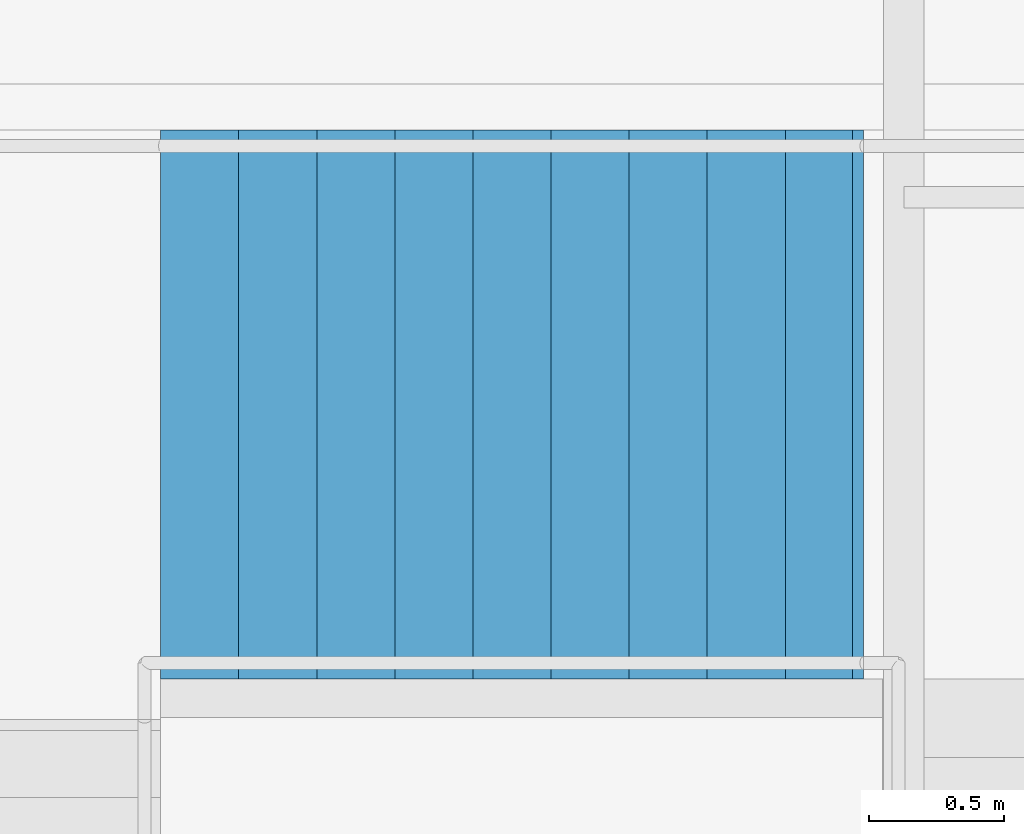
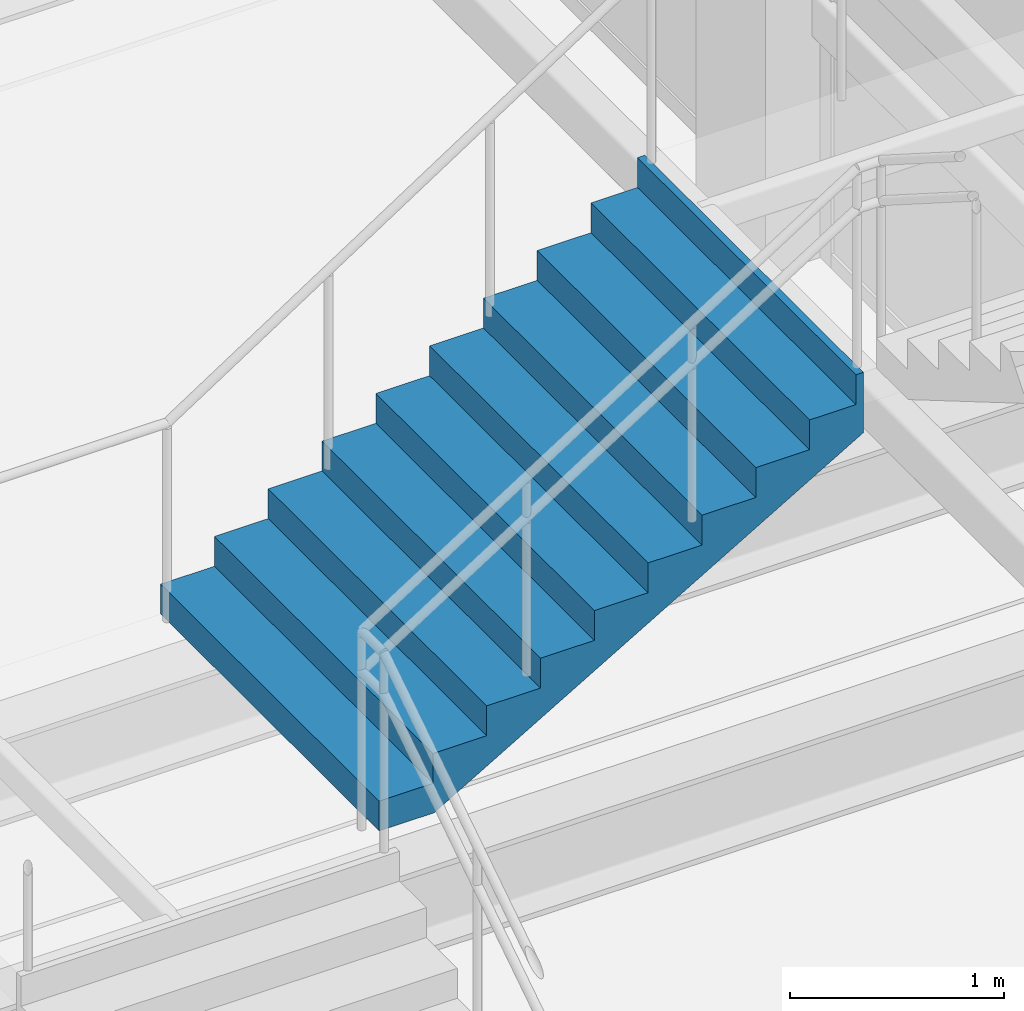
# One storey, part 59 of 66: 1 stair flight, 1 element without a shape of its own.
"""IFC4 building model written with IfcOpenShell, lengths in metres."""

from ifc_helpers import new_model, si_unit, direction, frame, origin, place, context, subcontext, project, spatial, triangles, material, type_object, element, aggregate, save


model = new_model("IFC4")

# Units and contexts
model_context = context("Model", 3, precision=1e-05, world=origin(), true_north=direction((0.0, 1.0)))
body_context = subcontext(model_context, "Body", "Model", "MODEL_VIEW")
ifc_project = project(units=[si_unit("LENGTHUNIT", "METRE"), si_unit("AREAUNIT", "SQUARE_METRE"), si_unit("VOLUMEUNIT", "CUBIC_METRE"), si_unit("PLANEANGLEUNIT", "RADIAN"), si_unit("MASSUNIT", "GRAM", prefix="KILO")], contexts=[model_context])

# Site, building, storey
site_placement = place(None, origin())
site = spatial("IfcSite", under=ifc_project, at=site_placement, CompositionType="ELEMENT")
building_placement = place(site_placement, origin())
building = spatial("IfcBuilding", under=site, at=building_placement, Name="Sillaruma Civic Art Gallery", CompositionType="ELEMENT")
storey_placement = place(building_placement, frame((0.0, 0.0, 57.1201171875)))
storey = spatial("IfcBuildingStorey", under=building, at=storey_placement, Name="L11", CompositionType="ELEMENT", Elevation=57.1201171875)

# Stair, stair flight
ifc_material = material(Name="Concrete H35 (35 MPa)", Category="concrete")
stair_type = type_object("IfcStairType", Name="STR-3F-30", PredefinedType="TWO_QUARTER_TURN_STAIR", material=ifc_material)
stair_placement = place(storey_placement, origin())
stair = element("IfcStair", 1, at=stair_placement, inside=storey, type_object=stair_type, Name="Monumental Gallery Feature Stair ST-G07 (L11)", PredefinedType="TWO_QUARTER_TURN_STAIR")
stair_flight_type = type_object("IfcStairFlightType", Name="SFL-STR-10", PredefinedType="STRAIGHT", material=ifc_material)
stair_flight_placement = place(storey_placement, frame((86.639892578125, 54.97998046875, 1.699951171875), z_axis=(0.0, 0.0, 1.0), x_axis=(1.0, 0.0, 0.0)))
stair_flight = element("IfcStairFlight", 2, at=stair_flight_placement, type_object=stair_flight_type, Name="ST-G07 flight 2", NumberOfRisers=10, NumberOfTreads=9, PredefinedType="STRAIGHT", RiserHeight=0.17, TreadLength=0.29, context=body_context, shape_type="Tessellation", body=[
    triangles([(0.0, -1.02001953125, 0.0), (0.29, -1.02001953125, 0.0), (0.296521, -1.02001953125, 0.0), (0.58, -1.02001953125, 0.166177), (0.87, -1.02001953125, 0.336177), (1.16, -1.02001953125, 0.506177), (1.45, -1.02001953125, 0.676177), (1.74, -1.02001953125, 0.846177), (2.03, -1.02001953125, 1.016177), (2.32, -1.02001953125, 1.186177), (2.570107, -1.02001953125, 1.332792), (2.610107, -1.02001953125, 1.35624), (2.610107, -1.02001953125, 1.7), (2.570107, -1.02001953125, 1.7), (2.570107, -1.02001953125, 1.53), (2.32, -1.02001953125, 1.53), (2.32, -1.02001953125, 1.36), (2.03, -1.02001953125, 1.36), (2.03, -1.02001953125, 1.19), (1.74, -1.02001953125, 1.19), (1.74, -1.02001953125, 1.02), (1.45, -1.02001953125, 1.02), (1.45, -1.02001953125, 0.85), (1.16, -1.02001953125, 0.85), (1.16, -1.02001953125, 0.68), (0.87, -1.02001953125, 0.68), (0.87, -1.02001953125, 0.51), (0.58, -1.02001953125, 0.51), (0.58, -1.02001953125, 0.34), (0.296521, -1.02001953125, 0.34), (0.29, -1.02001953125, 0.34), (0.29, -1.02001953125, 0.17), (0.0, -1.02001953125, 0.17), (0.0, -0.05, 0.0), (0.29, -0.05, 0.0), (0.296521, -0.05, 0.0), (0.58, -0.05, 0.166177), (0.87, -0.05, 0.336177), (1.16, -0.05, 0.506177), (1.45, -0.05, 0.676177), (1.74, -0.05, 0.846177), (2.03, -0.05, 1.016177), (2.32, -0.05, 1.186177), (2.570107, -0.05, 1.332792), (2.610107, -0.05, 1.35624), (2.610107, -0.05, 1.7), (2.570107, -0.05, 1.7), (2.570107, -0.05, 1.53), (2.32, -0.05, 1.53), (2.32, -0.05, 1.36), (2.03, -0.05, 1.36), (2.03, -0.05, 1.19), (1.74, -0.05, 1.19), (1.74, -0.05, 1.02), (1.45, -0.05, 1.02), (1.45, -0.05, 0.85), (1.16, -0.05, 0.85), (1.16, -0.05, 0.68), (0.87, -0.05, 0.68), (0.87, -0.05, 0.51), (0.58, -0.05, 0.51), (0.58, -0.05, 0.34), (0.296521, -0.05, 0.34), (0.29, -0.05, 0.34), (0.29, -0.05, 0.17), (0.0, -0.05, 0.17), (0.0, -0.0375, 0.0), (0.29, -0.0375, 0.0), (0.296521, -0.0375, 0.0), (0.58, -0.0375, 0.166177), (0.87, -0.0375, 0.336177), (1.16, -0.0375, 0.506177), (1.45, -0.0375, 0.676177), (1.74, -0.0375, 0.846177), (2.03, -0.0375, 1.016177), (2.32, -0.0375, 1.186177), (2.570107, -0.0375, 1.332792), (2.610107, -0.0375, 1.35624), (2.610107, -0.0375, 1.7), (2.570107, -0.0375, 1.7), (2.570107, -0.0375, 1.53), (2.32, -0.0375, 1.53), (2.32, -0.0375, 1.36), (2.03, -0.0375, 1.36), (2.03, -0.0375, 1.19), (1.74, -0.0375, 1.19), (1.74, -0.0375, 1.02), (1.45, -0.0375, 1.02), (1.45, -0.0375, 0.85), (1.16, -0.0375, 0.85), (1.16, -0.0375, 0.68), (0.87, -0.0375, 0.68), (0.87, -0.0375, 0.51), (0.58, -0.0375, 0.51), (0.58, -0.0375, 0.34), (0.296521, -0.0375, 0.34), (0.29, -0.0375, 0.34), (0.29, -0.0375, 0.17), (0.0, -0.0375, 0.17), (0.0, -0.025, 0.0), (0.29, -0.025, 0.0), (0.296521, -0.025, 0.0), (0.58, -0.025, 0.166177), (0.87, -0.025, 0.336177), (1.16, -0.025, 0.506177), (1.45, -0.025, 0.676177), (1.74, -0.025, 0.846177), (2.03, -0.025, 1.016177), (2.32, -0.025, 1.186177), (2.570107, -0.025, 1.332792), (2.610107, -0.025, 1.35624), (2.610107, -0.025, 1.7), (2.570107, -0.025, 1.7), (2.570107, -0.025, 1.53), (2.32, -0.025, 1.53), (2.32, -0.025, 1.36), (2.03, -0.025, 1.36), (2.03, -0.025, 1.19), (1.74, -0.025, 1.19), (1.74, -0.025, 1.02), (1.45, -0.025, 1.02), (1.45, -0.025, 0.85), (1.16, -0.025, 0.85), (1.16, -0.025, 0.68), (0.87, -0.025, 0.68), (0.87, -0.025, 0.51), (0.58, -0.025, 0.51), (0.58, -0.025, 0.34), (0.296521, -0.025, 0.34), (0.29, -0.025, 0.34), (0.29, -0.025, 0.17), (0.0, -0.025, 0.17), (0.0, -0.0125, 0.0), (0.29, -0.0125, 0.0), (0.296521, -0.0125, 0.0), (0.58, -0.0125, 0.166177), (0.87, -0.0125, 0.336177), (1.16, -0.0125, 0.506177), (1.45, -0.0125, 0.676177), (1.74, -0.0125, 0.846177), (2.03, -0.0125, 1.016177), (2.32, -0.0125, 1.186177), (2.570107, -0.0125, 1.332792), (2.610107, -0.0125, 1.35624), (2.610107, -0.0125, 1.7), (2.570107, -0.0125, 1.7), (2.570107, -0.0125, 1.53), (2.32, -0.0125, 1.53), (2.32, -0.0125, 1.36), (2.03, -0.0125, 1.36), (2.03, -0.0125, 1.19), (1.74, -0.0125, 1.19), (1.74, -0.0125, 1.02), (1.45, -0.0125, 1.02), (1.45, -0.0125, 0.85), (1.16, -0.0125, 0.85), (1.16, -0.0125, 0.68), (0.87, -0.0125, 0.68), (0.87, -0.0125, 0.51), (0.58, -0.0125, 0.51), (0.58, -0.0125, 0.34), (0.296521, -0.0125, 0.34), (0.29, -0.0125, 0.34), (0.29, -0.0125, 0.17), (0.0, -0.0125, 0.17), (0.0, 0.0, 0.0), (0.29, 0.0, 0.0), (0.296521, 0.0, 0.0), (0.58, 0.0, 0.166177), (0.87, 0.0, 0.336177), (1.16, 0.0, 0.506177), (1.45, 0.0, 0.676177), (1.74, 0.0, 0.846177), (2.03, 0.0, 1.016177), (2.32, 0.0, 1.186177), (2.570107, 0.0, 1.332792), (2.610107, 0.0, 1.35624), (2.610107, 0.0, 1.7), (2.570107, 0.0, 1.7), (2.570107, 0.0, 1.53), (2.32, 0.0, 1.53), (2.32, 0.0, 1.36), (2.03, 0.0, 1.36), (2.03, 0.0, 1.19), (1.74, 0.0, 1.19), (1.74, 0.0, 1.02), (1.45, 0.0, 1.02), (1.45, 0.0, 0.85), (1.16, 0.0, 0.85), (1.16, 0.0, 0.68), (0.87, 0.0, 0.68), (0.87, 0.0, 0.51), (0.58, 0.0, 0.51), (0.58, 0.0, 0.34), (0.296521, 0.0, 0.34), (0.29, 0.0, 0.34), (0.29, 0.0, 0.17), (0.0, 0.0, 0.17), (0.0, 0.0125, 0.0), (0.29, 0.0125, 0.0), (0.296521, 0.0125, 0.0), (0.58, 0.0125, 0.166177), (0.87, 0.0125, 0.336177), (1.16, 0.0125, 0.506177), (1.45, 0.0125, 0.676177), (1.74, 0.0125, 0.846177), (2.03, 0.0125, 1.016177), (2.32, 0.0125, 1.186177), (2.570107, 0.0125, 1.332792), (2.610107, 0.0125, 1.35624), (2.610107, 0.0125, 1.7), (2.570107, 0.0125, 1.7), (2.570107, 0.0125, 1.53), (2.32, 0.0125, 1.53), (2.32, 0.0125, 1.36), (2.03, 0.0125, 1.36), (2.03, 0.0125, 1.19), (1.74, 0.0125, 1.19), (1.74, 0.0125, 1.02), (1.45, 0.0125, 1.02), (1.45, 0.0125, 0.85), (1.16, 0.0125, 0.85), (1.16, 0.0125, 0.68), (0.87, 0.0125, 0.68), (0.87, 0.0125, 0.51), (0.58, 0.0125, 0.51), (0.58, 0.0125, 0.34), (0.296521, 0.0125, 0.34), (0.29, 0.0125, 0.34), (0.29, 0.0125, 0.17), (0.0, 0.0125, 0.17), (0.0, 0.025, 0.0), (0.29, 0.025, 0.0), (0.296521, 0.025, 0.0), (0.58, 0.025, 0.166177), (0.87, 0.025, 0.336177), (1.16, 0.025, 0.506177), (1.45, 0.025, 0.676177), (1.74, 0.025, 0.846177), (2.03, 0.025, 1.016177), (2.32, 0.025, 1.186177), (2.570107, 0.025, 1.332792), (2.610107, 0.025, 1.35624), (2.610107, 0.025, 1.7), (2.570107, 0.025, 1.7), (2.570107, 0.025, 1.53), (2.32, 0.025, 1.53), (2.32, 0.025, 1.36), (2.03, 0.025, 1.36), (2.03, 0.025, 1.19), (1.74, 0.025, 1.19), (1.74, 0.025, 1.02), (1.45, 0.025, 1.02), (1.45, 0.025, 0.85), (1.16, 0.025, 0.85), (1.16, 0.025, 0.68), (0.87, 0.025, 0.68), (0.87, 0.025, 0.51), (0.58, 0.025, 0.51), (0.58, 0.025, 0.34), (0.296521, 0.025, 0.34), (0.29, 0.025, 0.34), (0.29, 0.025, 0.17), (0.0, 0.025, 0.17), (0.0, 0.0375, 0.0), (0.29, 0.0375, 0.0), (0.296521, 0.0375, 0.0), (0.58, 0.0375, 0.166177), (0.87, 0.0375, 0.336177), (1.16, 0.0375, 0.506177), (1.45, 0.0375, 0.676177), (1.74, 0.0375, 0.846177), (2.03, 0.0375, 1.016177), (2.32, 0.0375, 1.186177), (2.570107, 0.0375, 1.332792), (2.610107, 0.0375, 1.35624), (2.610107, 0.0375, 1.7), (2.570107, 0.0375, 1.7), (2.570107, 0.0375, 1.53), (2.32, 0.0375, 1.53), (2.32, 0.0375, 1.36), (2.03, 0.0375, 1.36), (2.03, 0.0375, 1.19), (1.74, 0.0375, 1.19), (1.74, 0.0375, 1.02), (1.45, 0.0375, 1.02), (1.45, 0.0375, 0.85), (1.16, 0.0375, 0.85), (1.16, 0.0375, 0.68), (0.87, 0.0375, 0.68), (0.87, 0.0375, 0.51), (0.58, 0.0375, 0.51), (0.58, 0.0375, 0.34), (0.296521, 0.0375, 0.34), (0.29, 0.0375, 0.34), (0.29, 0.0375, 0.17), (0.0, 0.0375, 0.17), (0.0, 0.05, 0.0), (0.29, 0.05, 0.0), (0.296521, 0.05, 0.0), (0.58, 0.05, 0.166177), (0.87, 0.05, 0.336177), (1.16, 0.05, 0.506177), (1.45, 0.05, 0.676177), (1.74, 0.05, 0.846177), (2.03, 0.05, 1.016177), (2.32, 0.05, 1.186177), (2.570107, 0.05, 1.332792), (2.610107, 0.05, 1.35624), (2.610107, 0.05, 1.7), (2.570107, 0.05, 1.7), (2.570107, 0.05, 1.53), (2.32, 0.05, 1.53), (2.32, 0.05, 1.36), (2.03, 0.05, 1.36), (2.03, 0.05, 1.19), (1.74, 0.05, 1.19), (1.74, 0.05, 1.02), (1.45, 0.05, 1.02), (1.45, 0.05, 0.85), (1.16, 0.05, 0.85), (1.16, 0.05, 0.68), (0.87, 0.05, 0.68), (0.87, 0.05, 0.51), (0.58, 0.05, 0.51), (0.58, 0.05, 0.34), (0.296521, 0.05, 0.34), (0.29, 0.05, 0.34), (0.29, 0.05, 0.17), (0.0, 0.05, 0.17), (0.0, 1.02001953125, 0.0), (0.29, 1.02001953125, 0.0), (0.296521, 1.02001953125, 0.0), (0.58, 1.02001953125, 0.166177), (0.87, 1.02001953125, 0.336177), (1.16, 1.02001953125, 0.506177), (1.45, 1.02001953125, 0.676177), (1.74, 1.02001953125, 0.846177), (2.03, 1.02001953125, 1.016177), (2.32, 1.02001953125, 1.186177), (2.570107, 1.02001953125, 1.332792), (2.610107, 1.02001953125, 1.35624), (2.610107, 1.02001953125, 1.7), (2.570107, 1.02001953125, 1.7), (2.570107, 1.02001953125, 1.53), (2.32, 1.02001953125, 1.53), (2.32, 1.02001953125, 1.36), (2.03, 1.02001953125, 1.36), (2.03, 1.02001953125, 1.19), (1.74, 1.02001953125, 1.19), (1.74, 1.02001953125, 1.02), (1.45, 1.02001953125, 1.02), (1.45, 1.02001953125, 0.85), (1.16, 1.02001953125, 0.85), (1.16, 1.02001953125, 0.68), (0.87, 1.02001953125, 0.68), (0.87, 1.02001953125, 0.51), (0.58, 1.02001953125, 0.51), (0.58, 1.02001953125, 0.34), (0.296521, 1.02001953125, 0.34), (0.29, 1.02001953125, 0.34), (0.29, 1.02001953125, 0.17), (0.0, 1.02001953125, 0.17)], [[1, 2, 32], [1, 32, 33], [2, 3, 30], [2, 30, 32], [32, 30, 31], [3, 4, 29], [3, 29, 30], [4, 5, 27], [4, 27, 29], [29, 27, 28], [5, 6, 25], [5, 25, 27], [27, 25, 26], [6, 7, 23], [6, 23, 25], [25, 23, 24], [7, 8, 21], [7, 21, 23], [23, 21, 22], [8, 9, 19], [8, 19, 21], [21, 19, 20], [9, 10, 17], [9, 17, 19], [19, 17, 18], [10, 11, 15], [10, 15, 17], [17, 15, 16], [11, 12, 13], [11, 13, 15], [15, 13, 14], [362, 332, 331], [363, 362, 331], [360, 333, 332], [362, 360, 332], [361, 360, 362], [359, 334, 333], [360, 359, 333], [357, 335, 334], [359, 357, 334], [358, 357, 359], [355, 336, 335], [357, 355, 335], [356, 355, 357], [353, 337, 336], [355, 353, 336], [354, 353, 355], [351, 338, 337], [353, 351, 337], [352, 351, 353], [349, 339, 338], [351, 349, 338], [350, 349, 351], [347, 340, 339], [349, 347, 339], [348, 347, 349], [345, 341, 340], [347, 345, 340], [346, 345, 347], [343, 342, 341], [345, 343, 341], [344, 343, 345], [2, 1, 34], [2, 34, 35], [3, 2, 35], [3, 35, 36], [4, 3, 36], [4, 36, 37], [5, 4, 37], [5, 37, 38], [6, 5, 38], [6, 38, 39], [7, 6, 39], [7, 39, 40], [8, 7, 40], [8, 40, 41], [9, 8, 41], [9, 41, 42], [10, 9, 42], [10, 42, 43], [11, 10, 43], [11, 43, 44], [12, 11, 44], [12, 44, 45], [13, 12, 45], [13, 45, 46], [14, 13, 46], [14, 46, 47], [15, 14, 47], [15, 47, 48], [16, 15, 48], [16, 48, 49], [17, 16, 49], [17, 49, 50], [18, 17, 50], [18, 50, 51], [19, 18, 51], [19, 51, 52], [20, 19, 52], [20, 52, 53], [21, 20, 53], [21, 53, 54], [22, 21, 54], [22, 54, 55], [23, 22, 55], [23, 55, 56], [24, 23, 56], [24, 56, 57], [25, 24, 57], [25, 57, 58], [26, 25, 58], [26, 58, 59], [27, 26, 59], [27, 59, 60], [28, 27, 60], [28, 60, 61], [29, 28, 61], [29, 61, 62], [30, 29, 62], [30, 62, 63], [31, 30, 63], [31, 63, 64], [32, 31, 64], [32, 64, 65], [33, 32, 65], [33, 65, 66], [1, 33, 66], [1, 66, 34], [35, 34, 67], [35, 67, 68], [36, 35, 68], [36, 68, 69], [37, 36, 69], [37, 69, 70], [38, 37, 70], [38, 70, 71], [39, 38, 71], [39, 71, 72], [40, 39, 72], [40, 72, 73], [41, 40, 73], [41, 73, 74], [42, 41, 74], [42, 74, 75], [43, 42, 75], [43, 75, 76], [44, 43, 76], [44, 76, 77], [45, 44, 77], [45, 77, 78], [46, 45, 78], [46, 78, 79], [47, 46, 79], [47, 79, 80], [48, 47, 80], [48, 80, 81], [49, 48, 81], [49, 81, 82], [50, 49, 82], [50, 82, 83], [51, 50, 83], [51, 83, 84], [52, 51, 84], [52, 84, 85], [53, 52, 85], [53, 85, 86], [54, 53, 86], [54, 86, 87], [55, 54, 87], [55, 87, 88], [56, 55, 88], [56, 88, 89], [57, 56, 89], [57, 89, 90], [58, 57, 90], [58, 90, 91], [59, 58, 91], [59, 91, 92], [60, 59, 92], [60, 92, 93], [61, 60, 93], [61, 93, 94], [62, 61, 94], [62, 94, 95], [63, 62, 95], [63, 95, 96], [64, 63, 96], [64, 96, 97], [65, 64, 97], [65, 97, 98], [66, 65, 98], [66, 98, 99], [34, 66, 99], [34, 99, 67], [68, 67, 100], [68, 100, 101], [69, 68, 101], [69, 101, 102], [70, 69, 102], [70, 102, 103], [71, 70, 103], [71, 103, 104], [72, 71, 104], [72, 104, 105], [73, 72, 105], [73, 105, 106], [74, 73, 106], [74, 106, 107], [75, 74, 107], [75, 107, 108], [76, 75, 108], [76, 108, 109], [77, 76, 109], [77, 109, 110], [78, 77, 110], [78, 110, 111], [79, 78, 111], [79, 111, 112], [80, 79, 112], [80, 112, 113], [81, 80, 113], [81, 113, 114], [82, 81, 114], [82, 114, 115], [83, 82, 115], [83, 115, 116], [84, 83, 116], [84, 116, 117], [85, 84, 117], [85, 117, 118], [86, 85, 118], [86, 118, 119], [87, 86, 119], [87, 119, 120], [88, 87, 120], [88, 120, 121], [89, 88, 121], [89, 121, 122], [90, 89, 122], [90, 122, 123], [91, 90, 123], [91, 123, 124], [92, 91, 124], [92, 124, 125], [93, 92, 125], [93, 125, 126], [94, 93, 126], [94, 126, 127], [95, 94, 127], [95, 127, 128], [96, 95, 128], [96, 128, 129], [97, 96, 129], [97, 129, 130], [98, 97, 130], [98, 130, 131], [99, 98, 131], [99, 131, 132], [67, 99, 132], [67, 132, 100], [101, 100, 133], [101, 133, 134], [102, 101, 134], [102, 134, 135], [103, 102, 135], [103, 135, 136], [104, 103, 136], [104, 136, 137], [105, 104, 137], [105, 137, 138], [106, 105, 138], [106, 138, 139], [107, 106, 139], [107, 139, 140], [108, 107, 140], [108, 140, 141], [109, 108, 141], [109, 141, 142], [110, 109, 142], [110, 142, 143], [111, 110, 143], [111, 143, 144], [112, 111, 144], [112, 144, 145], [113, 112, 145], [113, 145, 146], [114, 113, 146], [114, 146, 147], [115, 114, 147], [115, 147, 148], [116, 115, 148], [116, 148, 149], [117, 116, 149], [117, 149, 150], [118, 117, 150], [118, 150, 151], [119, 118, 151], [119, 151, 152], [120, 119, 152], [120, 152, 153], [121, 120, 153], [121, 153, 154], [122, 121, 154], [122, 154, 155], [123, 122, 155], [123, 155, 156], [124, 123, 156], [124, 156, 157], [125, 124, 157], [125, 157, 158], [126, 125, 158], [126, 158, 159], [127, 126, 159], [127, 159, 160], [128, 127, 160], [128, 160, 161], [129, 128, 161], [129, 161, 162], [130, 129, 162], [130, 162, 163], [131, 130, 163], [131, 163, 164], [132, 131, 164], [132, 164, 165], [100, 132, 165], [100, 165, 133], [134, 133, 166], [134, 166, 167], [135, 134, 167], [135, 167, 168], [136, 135, 168], [136, 168, 169], [137, 136, 169], [137, 169, 170], [138, 137, 170], [138, 170, 171], [139, 138, 171], [139, 171, 172], [140, 139, 172], [140, 172, 173], [141, 140, 173], [141, 173, 174], [142, 141, 174], [142, 174, 175], [143, 142, 175], [143, 175, 176], [144, 143, 176], [144, 176, 177], [145, 144, 177], [145, 177, 178], [146, 145, 178], [146, 178, 179], [147, 146, 179], [147, 179, 180], [148, 147, 180], [148, 180, 181], [149, 148, 181], [149, 181, 182], [150, 149, 182], [150, 182, 183], [151, 150, 183], [151, 183, 184], [152, 151, 184], [152, 184, 185], [153, 152, 185], [153, 185, 186], [154, 153, 186], [154, 186, 187], [155, 154, 187], [155, 187, 188], [156, 155, 188], [156, 188, 189], [157, 156, 189], [157, 189, 190], [158, 157, 190], [158, 190, 191], [159, 158, 191], [159, 191, 192], [160, 159, 192], [160, 192, 193], [161, 160, 193], [161, 193, 194], [162, 161, 194], [162, 194, 195], [163, 162, 195], [163, 195, 196], [164, 163, 196], [164, 196, 197], [165, 164, 197], [165, 197, 198], [133, 165, 198], [133, 198, 166], [167, 166, 199], [167, 199, 200], [168, 167, 200], [168, 200, 201], [169, 168, 201], [169, 201, 202], [170, 169, 202], [170, 202, 203], [171, 170, 203], [171, 203, 204], [172, 171, 204], [172, 204, 205], [173, 172, 205], [173, 205, 206], [174, 173, 206], [174, 206, 207], [175, 174, 207], [175, 207, 208], [176, 175, 208], [176, 208, 209], [177, 176, 209], [177, 209, 210], [178, 177, 210], [178, 210, 211], [179, 178, 211], [179, 211, 212], [180, 179, 212], [180, 212, 213], [181, 180, 213], [181, 213, 214], [182, 181, 214], [182, 214, 215], [183, 182, 215], [183, 215, 216], [184, 183, 216], [184, 216, 217], [185, 184, 217], [185, 217, 218], [186, 185, 218], [186, 218, 219], [187, 186, 219], [187, 219, 220], [188, 187, 220], [188, 220, 221], [189, 188, 221], [189, 221, 222], [190, 189, 222], [190, 222, 223], [191, 190, 223], [191, 223, 224], [192, 191, 224], [192, 224, 225], [193, 192, 225], [193, 225, 226], [194, 193, 226], [194, 226, 227], [195, 194, 227], [195, 227, 228], [196, 195, 228], [196, 228, 229], [197, 196, 229], [197, 229, 230], [198, 197, 230], [198, 230, 231], [166, 198, 231], [166, 231, 199], [200, 199, 232], [200, 232, 233], [201, 200, 233], [201, 233, 234], [202, 201, 234], [202, 234, 235], [203, 202, 235], [203, 235, 236], [204, 203, 236], [204, 236, 237], [205, 204, 237], [205, 237, 238], [206, 205, 238], [206, 238, 239], [207, 206, 239], [207, 239, 240], [208, 207, 240], [208, 240, 241], [209, 208, 241], [209, 241, 242], [210, 209, 242], [210, 242, 243], [211, 210, 243], [211, 243, 244], [212, 211, 244], [212, 244, 245], [213, 212, 245], [213, 245, 246], [214, 213, 246], [214, 246, 247], [215, 214, 247], [215, 247, 248], [216, 215, 248], [216, 248, 249], [217, 216, 249], [217, 249, 250], [218, 217, 250], [218, 250, 251], [219, 218, 251], [219, 251, 252], [220, 219, 252], [220, 252, 253], [221, 220, 253], [221, 253, 254], [222, 221, 254], [222, 254, 255], [223, 222, 255], [223, 255, 256], [224, 223, 256], [224, 256, 257], [225, 224, 257], [225, 257, 258], [226, 225, 258], [226, 258, 259], [227, 226, 259], [227, 259, 260], [228, 227, 260], [228, 260, 261], [229, 228, 261], [229, 261, 262], [230, 229, 262], [230, 262, 263], [231, 230, 263], [231, 263, 264], [199, 231, 264], [199, 264, 232], [233, 232, 265], [233, 265, 266], [234, 233, 266], [234, 266, 267], [235, 234, 267], [235, 267, 268], [236, 235, 268], [236, 268, 269], [237, 236, 269], [237, 269, 270], [238, 237, 270], [238, 270, 271], [239, 238, 271], [239, 271, 272], [240, 239, 272], [240, 272, 273], [241, 240, 273], [241, 273, 274], [242, 241, 274], [242, 274, 275], [243, 242, 275], [243, 275, 276], [244, 243, 276], [244, 276, 277], [245, 244, 277], [245, 277, 278], [246, 245, 278], [246, 278, 279], [247, 246, 279], [247, 279, 280], [248, 247, 280], [248, 280, 281], [249, 248, 281], [249, 281, 282], [250, 249, 282], [250, 282, 283], [251, 250, 283], [251, 283, 284], [252, 251, 284], [252, 284, 285], [253, 252, 285], [253, 285, 286], [254, 253, 286], [254, 286, 287], [255, 254, 287], [255, 287, 288], [256, 255, 288], [256, 288, 289], [257, 256, 289], [257, 289, 290], [258, 257, 290], [258, 290, 291], [259, 258, 291], [259, 291, 292], [260, 259, 292], [260, 292, 293], [261, 260, 293], [261, 293, 294], [262, 261, 294], [262, 294, 295], [263, 262, 295], [263, 295, 296], [264, 263, 296], [264, 296, 297], [232, 264, 297], [232, 297, 265], [266, 265, 298], [266, 298, 299], [267, 266, 299], [267, 299, 300], [268, 267, 300], [268, 300, 301], [269, 268, 301], [269, 301, 302], [270, 269, 302], [270, 302, 303], [271, 270, 303], [271, 303, 304], [272, 271, 304], [272, 304, 305], [273, 272, 305], [273, 305, 306], [274, 273, 306], [274, 306, 307], [275, 274, 307], [275, 307, 308], [276, 275, 308], [276, 308, 309], [277, 276, 309], [277, 309, 310], [278, 277, 310], [278, 310, 311], [279, 278, 311], [279, 311, 312], [280, 279, 312], [280, 312, 313], [281, 280, 313], [281, 313, 314], [282, 281, 314], [282, 314, 315], [283, 282, 315], [283, 315, 316], [284, 283, 316], [284, 316, 317], [285, 284, 317], [285, 317, 318], [286, 285, 318], [286, 318, 319], [287, 286, 319], [287, 319, 320], [288, 287, 320], [288, 320, 321], [289, 288, 321], [289, 321, 322], [290, 289, 322], [290, 322, 323], [291, 290, 323], [291, 323, 324], [292, 291, 324], [292, 324, 325], [293, 292, 325], [293, 325, 326], [294, 293, 326], [294, 326, 327], [295, 294, 327], [295, 327, 328], [296, 295, 328], [296, 328, 329], [297, 296, 329], [297, 329, 330], [265, 297, 330], [265, 330, 298], [299, 298, 331], [299, 331, 332], [300, 299, 332], [300, 332, 333], [301, 300, 333], [301, 333, 334], [302, 301, 334], [302, 334, 335], [303, 302, 335], [303, 335, 336], [304, 303, 336], [304, 336, 337], [305, 304, 337], [305, 337, 338], [306, 305, 338], [306, 338, 339], [307, 306, 339], [307, 339, 340], [308, 307, 340], [308, 340, 341], [309, 308, 341], [309, 341, 342], [310, 309, 342], [310, 342, 343], [311, 310, 343], [311, 343, 344], [312, 311, 344], [312, 344, 345], [313, 312, 345], [313, 345, 346], [314, 313, 346], [314, 346, 347], [315, 314, 347], [315, 347, 348], [316, 315, 348], [316, 348, 349], [317, 316, 349], [317, 349, 350], [318, 317, 350], [318, 350, 351], [319, 318, 351], [319, 351, 352], [320, 319, 352], [320, 352, 353], [321, 320, 353], [321, 353, 354], [322, 321, 354], [322, 354, 355], [323, 322, 355], [323, 355, 356], [324, 323, 356], [324, 356, 357], [325, 324, 357], [325, 357, 358], [326, 325, 358], [326, 358, 359], [327, 326, 359], [327, 359, 360], [328, 327, 360], [328, 360, 361], [329, 328, 361], [329, 361, 362], [330, 329, 362], [330, 362, 363], [298, 330, 363], [298, 363, 331]], closed=True),
])
aggregate(stair, [stair_flight])

save(model, "model.ifc")
